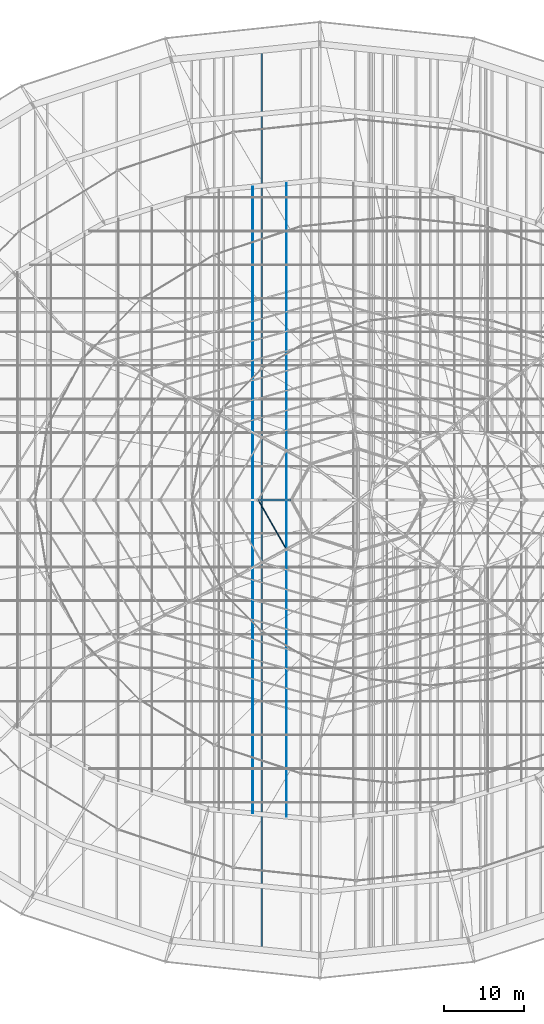
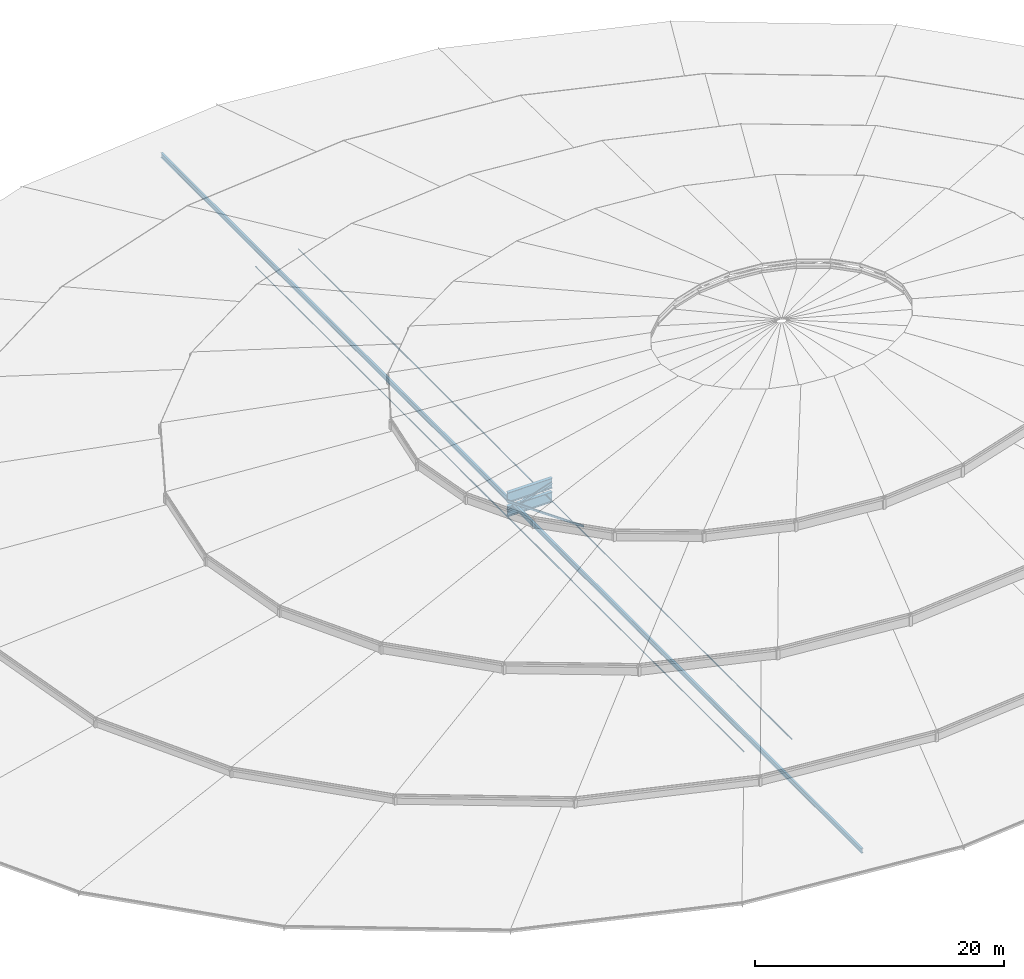
# One storey, part 56 of 184: 5 members, 2 beams.
"""IFC4 building model written with IfcOpenShell, lengths in metres."""

from ifc_helpers import new_model, si_unit, direction, frame, origin, origin_2d, place, context, subcontext, project, spatial, hollow_rectangle, circle, i_section, extrude, material, material_profile, profile_set, type_object, element, save


model = new_model("IFC4")

# Units and contexts
model_context = context("Model", 3, precision=1e-05, world=origin(), true_north=direction((0.0, 1.0)))
body_context = subcontext(model_context, "Body", "Model", "MODEL_VIEW")
ifc_project = project(units=[si_unit("LENGTHUNIT", "METRE"), si_unit("AREAUNIT", "SQUARE_METRE"), si_unit("VOLUMEUNIT", "CUBIC_METRE"), si_unit("PLANEANGLEUNIT", "RADIAN"), si_unit("MASSUNIT", "GRAM", prefix="KILO")], contexts=[model_context])

# Site, building, storey
site_placement = place(None, origin())
site = spatial("IfcSite", under=ifc_project, at=site_placement, CompositionType="ELEMENT")
building_placement = place(site_placement, origin())
building = spatial("IfcBuilding", under=site, at=building_placement, Name="Kalgoora Escarpment Arena", CompositionType="ELEMENT")
storey_placement = place(building_placement, frame((0.0, 0.0, 27.60009765625)))
storey = spatial("IfcBuildingStorey", under=building, at=storey_placement, Name="Roof Level", CompositionType="ELEMENT", Elevation=27.60009765625)

# Beams
ifc_material_1 = material(Name="Structural steel Grade 350 (350 MPa)", Category="steel")
ifc_material_profile_1 = material_profile(ifc_material_1, i_section(OverallWidth=0.300048828125, OverallDepth=1.010009765625, WebThickness=0.01611328125, FlangeThickness=0.030029296875, at=origin_2d()))
ifc_profile_set_1 = profile_set([ifc_material_profile_1], Name="Structural steel Grade 350 (350 MPa)")
beam_type = type_object("IfcBeamType", Name="BM-TRUSS-CHORD", PredefinedType="USERDEFINED", material=ifc_profile_set_1)
for number, where, z_axis, x_axis, name in (
    (1, (84.68798828125, 64.0, -1.60498046875), (0.999999299082, 0.0, 0.001183991593), (0.0, 1.0, 0.0), "Radial ROOF TRUSS spine 5 bottom chord 11"),
    (2, (84.68798828125, 64.0, -0.260009765625), (0.999997054401, 0.0, 0.002427177317), (0.0, 1.0, 0.0), "Radial ROOF TRUSS spine 5 top chord 11"),
):
    element("IfcBeam", number, at=place(storey_placement, frame(where, z_axis=z_axis, x_axis=x_axis)), inside=storey, type_object=beam_type, Name=name, ObjectType="GIRDER", PredefinedType="USERDEFINED", context=body_context, shape_type="SweptSolid", body=[
        extrude(i_section(OverallWidth=0.300048828125, OverallDepth=1.010009765625, WebThickness=0.01611328125, FlangeThickness=0.030029296875, at=origin_2d()), origin(), (0.0, 0.0, 1.0), 4.1240234375),
    ])

# Members
ifc_material_2 = material(Name="High-tensile spiral strand steel Grade 450 (350 MPa)", Category="steel")
ifc_material_profile_2 = material_profile(ifc_material_2, circle(Radius=0.035888671875, at=origin_2d()))
ifc_profile_set_2 = profile_set([ifc_material_profile_2], Name="High-tensile spiral strand steel Grade 450 (350 MPa)")
member_type_1 = type_object("IfcMemberType", Name="MEM-CABLE-72", PredefinedType="USERDEFINED", material=ifc_profile_set_2)
member_1_placement = place(storey_placement, frame((84.0, 24.819091796875, -1.190185546875), z_axis=(0.0, 1.0, 0.0), x_axis=(-1.0, 0.0, 0.0)))
element("IfcMember", 3, at=member_1_placement, inside=storey, type_object=member_type_1, Name="Roof saddle pretensioning cable Y-29", ObjectType="CABLE", PredefinedType="USERDEFINED", context=body_context, shape_type="SweptSolid", body=[
    extrude(circle(Radius=0.035888671875, at=origin_2d()), origin(), (0.0, 0.0, 1.0), 78.36181640625),
])
member_2_placement = place(storey_placement, frame((88.199951171875, 24.40966796875, -1.190185546875), z_axis=(0.0, 1.0, 0.0), x_axis=(-1.0, 0.0, 0.0)))
element("IfcMember", 4, at=member_2_placement, inside=storey, type_object=member_type_1, Name="Roof saddle pretensioning cable Y-30", ObjectType="CABLE", PredefinedType="USERDEFINED", context=body_context, shape_type="SweptSolid", body=[
    extrude(circle(Radius=0.035888671875, at=origin_2d()), origin(), (0.0, 0.0, 1.0), 79.1806640625),
])
ifc_material_3 = material(Name="Structural steel AS/NZS 3679 (300 MPa)", Category="steel")
ifc_material_profile_3 = material_profile(ifc_material_3, i_section(OverallWidth=0.19091796875, OverallDepth=0.4599609375, WebThickness=0.010009765625, FlangeThickness=0.01611328125, at=origin_2d()))
ifc_profile_set_3 = profile_set([ifc_material_profile_3], Name="Structural steel AS/NZS 3679 (300 MPa)")
member_type_2 = type_object("IfcMemberType", Name="MEM-CARRIER-CHORD", PredefinedType="CHORD", material=ifc_profile_set_3)
member_3_placement = place(storey_placement, frame((85.128173828125, 7.760009765625, -0.960205078125), z_axis=(0.0, 1.0, 0.0), x_axis=(-1.0, 0.0, 0.0)))
element("IfcMember", 5, at=member_3_placement, inside=storey, type_object=member_type_2, Name="Petal RP4 spanning carrier chord C10", PredefinedType="CHORD", context=body_context, shape_type="SweptSolid", body=[
    extrude(i_section(OverallWidth=0.19091796875, OverallDepth=0.4599609375, WebThickness=0.010009765625, FlangeThickness=0.01611328125, at=origin_2d()), origin(), (0.0, 0.0, 1.0), 112.47998046875),
])
ifc_material_4 = material(Name="Structural steel C350 (350 MPa)", Category="steel")
ifc_material_profile_4 = material_profile(ifc_material_4, hollow_rectangle(XDim=0.10009765625, YDim=0.199951171875, WallThickness=0.009033203125, at=origin_2d()))
ifc_profile_set_4 = profile_set([ifc_material_profile_4], Name="Structural steel C350 (350 MPa)")
member_type_3 = type_object("IfcMemberType", Name="MEM-PURLIN-RHS", PredefinedType="PURLIN", material=ifc_profile_set_4)
member_4_placement = place(storey_placement, frame((84.699951171875, 64.0, -0.610107421875), z_axis=(0.495853787676, -0.868406023268, 0.0), x_axis=(0.868406023268, 0.495853787676, 0.0)))
element("IfcMember", 6, at=member_4_placement, inside=storey, type_object=member_type_3, Name="Roof circumferential purlin ring 10 sector 5", PredefinedType="PURLIN", context=body_context, shape_type="SweptSolid", body=[
    extrude(hollow_rectangle(XDim=0.10009765625, YDim=0.199951171875, WallThickness=0.009033203125, at=origin_2d()), origin(), (0.0, 0.0, 1.0), 7.100341796875),
])
ifc_material_5 = material(Name="Structural steel C350 (350 MPa)", Category="steel")
ifc_material_profile_5 = material_profile(ifc_material_5, hollow_rectangle(XDim=0.199951171875, YDim=0.199951171875, WallThickness=0.009033203125, at=origin_2d()))
ifc_profile_set_5 = profile_set([ifc_material_profile_5], Name="Structural steel C350 (350 MPa)")
member_type_4 = type_object("IfcMemberType", Name="MEM-TRUSS-DIAG", PredefinedType="BRACE", material=ifc_profile_set_5)
member_5_placement = place(storey_placement, frame((84.699951171875, 64.0, -1.60498046875), z_axis=(0.949494296992, 0.0, 0.313784288931), x_axis=(0.0, 1.0, 0.0)))
element("IfcMember", 7, at=member_5_placement, inside=storey, type_object=member_type_4, Name="Radial ROOF TRUSS spine 5 web diagonal 11", PredefinedType="BRACE", context=body_context, shape_type="SweptSolid", body=[
    extrude(hollow_rectangle(XDim=0.199951171875, YDim=0.199951171875, WallThickness=0.009033203125, at=origin_2d()), origin(), (0.0, 0.0, 1.0), 4.318115234375),
])

save(model, "model.ifc")
